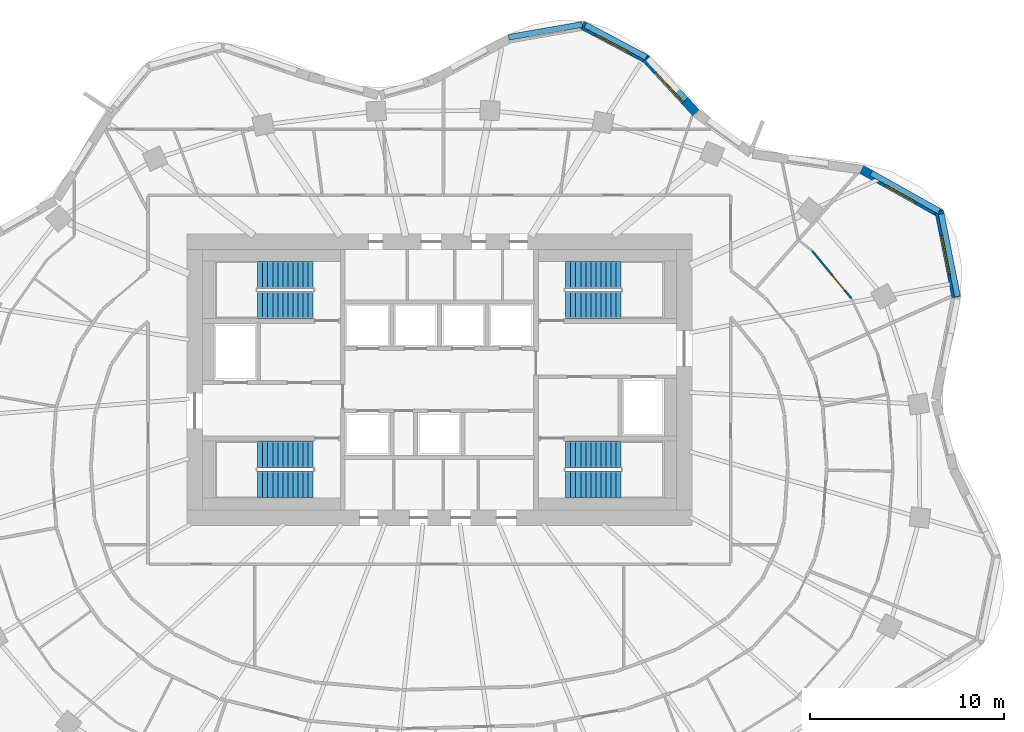
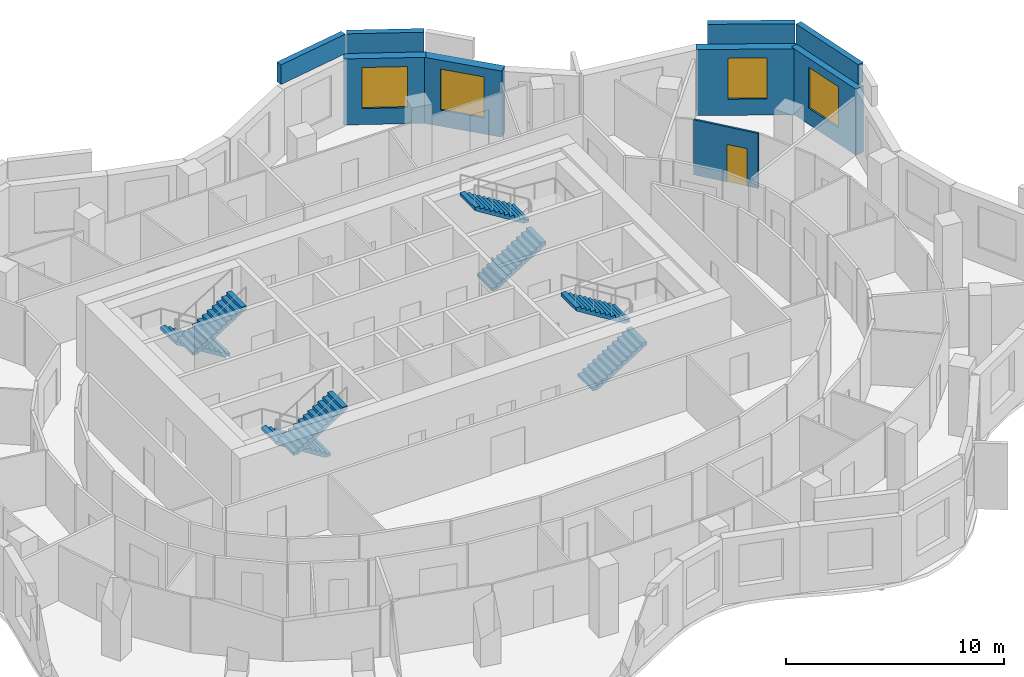
# One storey, part 10 of 11: 9 walls, 8 stair flights, 4 windows, 1 door, 5 openings, 4 elements without a shape of their own.
"""IFC4 building model written with IfcOpenShell, lengths in metres."""

from ifc_helpers import new_model, si_unit, direction, frame, frame_2d, origin, place, context, subcontext, project, spatial, polyline, rectangle, outline, extrude, material, layer, layer_set, type_object, element, fill, aggregate, save


model = new_model("IFC4")

# Units and contexts
model_context = context("Model", 3, precision=1e-05, world=origin(), true_north=direction((0.0, 1.0)))
body_context = subcontext(model_context, "Body", "Model", "MODEL_VIEW")
ifc_project = project(units=[si_unit("LENGTHUNIT", "METRE"), si_unit("AREAUNIT", "SQUARE_METRE"), si_unit("VOLUMEUNIT", "CUBIC_METRE"), si_unit("PLANEANGLEUNIT", "RADIAN"), si_unit("MASSUNIT", "GRAM", prefix="KILO")], contexts=[model_context])

# Site, building, storey
site_placement = place(None, origin())
site = spatial("IfcSite", under=ifc_project, at=site_placement, CompositionType="ELEMENT")
building_placement = place(site_placement, origin())
building = spatial("IfcBuilding", under=site, at=building_placement, Name="Rubra Terraces Tower", CompositionType="ELEMENT")
storey_placement = place(building_placement, frame((0.0, 0.0, 181.800048828125)))
storey = spatial("IfcBuildingStorey", under=building, at=storey_placement, Name="L44", CompositionType="ELEMENT", Elevation=181.800048828125)

# Wall, opening, window
ifc_material_1 = material(Name="Brick masonry red-brown", Category="masonry")
ifc_layer_1 = layer(ifc_material_1, 0.449951171875)
ifc_layer_set_1 = layer_set([ifc_layer_1], Name="Brick masonry red-brown")
wall_type_1 = type_object("IfcWallType", Name="Brick facade wall 450", PredefinedType="SOLIDWALL", material=ifc_layer_set_1)
wall_1_placement = place(storey_placement, frame((26.609619140625, 8.747802734375, 0.0), z_axis=(0.0, 0.0, 1.0), x_axis=(-0.193923166402, 0.981016720312, 0.0)))
wall_1 = element("IfcWall", 1, at=wall_1_placement, inside=storey, type_object=wall_type_1, Name="Facade wall L44 bay 3", PredefinedType="SOLIDWALL", context=body_context, shape_type="SweptSolid", body=[
    extrude(rectangle(XDim=4.518310546875, YDim=0.449951171875, at=frame_2d((2.25927734375, 0.0))), origin(), (0.0, 0.0, 1.0), 3.699951171875),
])
opening_1_placement = place(wall_1_placement, frame((1.209228515625, 0.0, 0.89990234375)))
opening_1 = element("IfcOpeningElement", 2, at=opening_1_placement, cuts=wall_1, Name="Opening W1B", PredefinedType="OPENING", context=body_context, shape_type="SweptSolid", body=[
    extrude(rectangle(XDim=2.10009765625, YDim=2.300048828125, at=frame_2d((1.050048828125, 1.14990234375))), frame((0.0, 0.23486328125, 0.0), z_axis=(0.0, -1.0, 0.0), x_axis=(1.0, 0.0, 0.0)), (0.0, 0.0, 1.0), 0.469970703125),
])
ifc_material_2 = material(Name="Clear glass in aluminium frame", Category="aluminium")
window_type_1 = type_object("IfcWindowType", Name="Fixed deep-set window tall storey 2100 x 2300", PartitioningType="SINGLE_PANEL", PredefinedType="WINDOW", material=ifc_material_2)
window_1_placement = place(opening_1_placement, origin())
window_1 = element("IfcWindow", 3, at=window_1_placement, inside=storey, type_object=window_type_1, Name="Window L44 bay 3", OverallHeight=2.300048828125, OverallWidth=2.10009765625, PartitioningType="SINGLE_PANEL", PredefinedType="WINDOW", context=body_context, shape_type="SweptSolid", body=[
    extrude(rectangle(XDim=2.10009765625, YDim=2.300048828125, at=frame_2d((1.050048828125, 1.14990234375))), frame((0.0, 0.135009765625, 0.0), z_axis=(0.0, -1.0, 0.0), x_axis=(1.0, 0.0, 0.0)), (0.0, 0.0, 1.0), 0.06005859375),
])
fill(opening_1, window_1)

wall_2_placement = place(storey_placement, frame((25.843994140625, 13.027587890625, 0.0), z_axis=(0.0, 0.0, 1.0), x_axis=(-0.872346398261, 0.488888291373, 0.0)))
wall_2 = element("IfcWall", 4, at=wall_2_placement, inside=storey, type_object=wall_type_1, Name="Facade wall L44 bay 4", PredefinedType="SOLIDWALL", context=body_context, shape_type="SweptSolid", body=[
    extrude(rectangle(XDim=4.696044921875, YDim=0.449951171875, at=frame_2d((2.34814453125, 0.0))), origin(), (0.0, 0.0, 1.0), 3.699951171875),
])
opening_2_placement = place(wall_2_placement, frame((1.447998046875, 0.0, 0.89990234375)))
opening_2 = element("IfcOpeningElement", 5, at=opening_2_placement, cuts=wall_2, Name="Opening W6B", PredefinedType="OPENING", context=body_context, shape_type="SweptSolid", body=[
    extrude(rectangle(XDim=1.800048828125, YDim=2.300048828125, at=frame_2d((0.89990234375, 1.14990234375))), frame((0.0, 0.23486328125, 0.0), z_axis=(0.0, -1.0, 0.0), x_axis=(1.0, 0.0, 0.0)), (0.0, 0.0, 1.0), 0.469970703125),
])
window_type_2 = type_object("IfcWindowType", Name="Fixed deep-set window at wind fin tall storey 1800 x 2300", PartitioningType="SINGLE_PANEL", PredefinedType="WINDOW", material=ifc_material_2)
window_2_placement = place(opening_2_placement, origin())
window_2 = element("IfcWindow", 6, at=window_2_placement, inside=storey, type_object=window_type_2, Name="Window L44 bay 4", OverallHeight=2.300048828125, OverallWidth=1.800048828125, PartitioningType="SINGLE_PANEL", PredefinedType="WINDOW", context=body_context, shape_type="SweptSolid", body=[
    extrude(rectangle(XDim=1.800048828125, YDim=2.300048828125, at=frame_2d((0.89990234375, 1.14990234375))), frame((0.0, 0.135009765625, 0.0), z_axis=(0.0, -1.0, 0.0), x_axis=(1.0, 0.0, 0.0)), (0.0, 0.0, 1.0), 0.06005859375),
])
fill(opening_2, window_2)

wall_3_placement = place(storey_placement, frame((13.20947265625, 18.242919921875, 0.0), z_axis=(0.0, 0.0, 1.0), x_axis=(-0.677612152497, 0.735419452278, 0.0)))
wall_3 = element("IfcWall", 7, at=wall_3_placement, inside=storey, type_object=wall_type_1, Name="Facade wall L44 bay 7", PredefinedType="SOLIDWALL", context=body_context, shape_type="SweptSolid", body=[
    extrude(rectangle(XDim=3.796875, YDim=0.449951171875, at=frame_2d((1.8984375, 0.0))), origin(), (0.0, 0.0, 1.0), 3.699951171875),
])
opening_3_placement = place(wall_3_placement, frame((0.848388671875, 0.0, 0.89990234375)))
opening_3 = element("IfcOpeningElement", 8, at=opening_3_placement, cuts=wall_3, Name="Opening W1B", PredefinedType="OPENING", context=body_context, shape_type="SweptSolid", body=[
    extrude(rectangle(XDim=2.10009765625, YDim=2.300048828125, at=frame_2d((1.050048828125, 1.14990234375))), frame((0.0, 0.23486328125, 0.0), z_axis=(0.0, -1.0, 0.0), x_axis=(1.0, 0.0, 0.0)), (0.0, 0.0, 1.0), 0.469970703125),
])
window_3_placement = place(opening_3_placement, origin())
window_3 = element("IfcWindow", 9, at=window_3_placement, inside=storey, type_object=window_type_1, Name="Window L44 bay 7", OverallHeight=2.300048828125, OverallWidth=2.10009765625, PartitioningType="SINGLE_PANEL", PredefinedType="WINDOW", context=body_context, shape_type="SweptSolid", body=[
    extrude(rectangle(XDim=2.10009765625, YDim=2.300048828125, at=frame_2d((1.050048828125, 1.14990234375))), frame((0.0, 0.135009765625, 0.0), z_axis=(0.0, -1.0, 0.0), x_axis=(1.0, 0.0, 0.0)), (0.0, 0.0, 1.0), 0.06005859375),
])
fill(opening_3, window_3)

wall_4_placement = place(storey_placement, frame((10.692626953125, 20.9931640625, 0.0), z_axis=(0.0, 0.0, 1.0), x_axis=(-0.883817790726, 0.46783128668, 0.0)))
wall_4 = element("IfcWall", 10, at=wall_4_placement, inside=storey, type_object=wall_type_1, Name="Facade wall L44 bay 8", PredefinedType="SOLIDWALL", context=body_context, shape_type="SweptSolid", body=[
    extrude(rectangle(XDim=3.776611328125, YDim=0.449951171875, at=frame_2d((1.88818359375, 0.0))), origin(), (0.0, 0.0, 1.0), 3.699951171875),
])
opening_4_placement = place(wall_4_placement, frame((0.83837890625, 0.0, 0.89990234375)))
opening_4 = element("IfcOpeningElement", 11, at=opening_4_placement, cuts=wall_4, Name="Opening W1B", PredefinedType="OPENING", context=body_context, shape_type="SweptSolid", body=[
    extrude(rectangle(XDim=2.10009765625, YDim=2.300048828125, at=frame_2d((1.050048828125, 1.14990234375))), frame((0.0, 0.23486328125, 0.0), z_axis=(0.0, -1.0, 0.0), x_axis=(1.0, 0.0, 0.0)), (0.0, 0.0, 1.0), 0.469970703125),
])
window_4_placement = place(opening_4_placement, origin())
window_4 = element("IfcWindow", 12, at=window_4_placement, inside=storey, type_object=window_type_1, Name="Window L44 bay 8", OverallHeight=2.300048828125, OverallWidth=2.10009765625, PartitioningType="SINGLE_PANEL", PredefinedType="WINDOW", context=body_context, shape_type="SweptSolid", body=[
    extrude(rectangle(XDim=2.10009765625, YDim=2.300048828125, at=frame_2d((1.050048828125, 1.14990234375))), frame((0.0, 0.135009765625, 0.0), z_axis=(0.0, -1.0, 0.0), x_axis=(1.0, 0.0, 0.0)), (0.0, 0.0, 1.0), 0.06005859375),
])
fill(opening_4, window_4)

# Walls
ifc_layer_2 = layer(ifc_material_1, 0.300048828125)
ifc_layer_set_2 = layer_set([ifc_layer_2], Name="Brick masonry red-brown")
wall_type_2 = type_object("IfcWallType", Name="Brick parapet 300", PredefinedType="PARAPET", material=ifc_layer_set_2)
wall_5_placement = place(storey_placement, frame((26.6796875, 8.7802734375, 3.89990234375), z_axis=(0.0, 0.0, 1.0), x_axis=(-0.193937094138, 0.981013967035, 0.0)))
element("IfcWall", 13, at=wall_5_placement, inside=storey, type_object=wall_type_2, Name="Parapet L44 bay 3", PredefinedType="PARAPET", context=body_context, shape_type="SweptSolid", body=[
    extrude(rectangle(XDim=4.331787109375, YDim=0.300048828125, at=frame_2d((2.166015625, 0.0))), origin(), (0.0, 0.0, 1.0), 1.10009765625),
])
wall_6_placement = place(storey_placement, frame((25.733642578125, 13.175537109375, 3.89990234375), z_axis=(0.0, 0.0, 1.0), x_axis=(-0.872347343965, 0.488886603905, 0.0)))
element("IfcWall", 14, at=wall_6_placement, inside=storey, type_object=wall_type_2, Name="Parapet L44 bay 4", PredefinedType="PARAPET", context=body_context, shape_type="SweptSolid", body=[
    extrude(rectangle(XDim=4.015625, YDim=0.300048828125, at=frame_2d((2.0078125, 0.0))), origin(), (0.0, 0.0, 1.0), 1.10009765625),
])
wall_7_placement = place(storey_placement, frame((10.656005859375, 21.097412109375, 3.89990234375), z_axis=(0.0, 0.0, 1.0), x_axis=(-0.883797916666, 0.467868830439, 0.0)))
element("IfcWall", 15, at=wall_7_placement, inside=storey, type_object=wall_type_2, Name="Parapet L44 bay 8", PredefinedType="PARAPET", context=body_context, shape_type="SweptSolid", body=[
    extrude(rectangle(XDim=3.56298828125, YDim=0.300048828125, at=frame_2d((1.781494140625, 0.0))), origin(), (0.0, 0.0, 1.0), 1.10009765625),
])
wall_8_placement = place(storey_placement, frame((7.35498046875, 22.78857421875, 3.89990234375), z_axis=(0.0, 0.0, 1.0), x_axis=(-0.985201040548, -0.171402770404, 0.0)))
element("IfcWall", 16, at=wall_8_placement, inside=storey, type_object=wall_type_2, Name="Parapet L44 bay 9", PredefinedType="PARAPET", context=body_context, shape_type="SweptSolid", body=[
    extrude(rectangle(XDim=3.84716796875, YDim=0.300048828125, at=frame_2d((1.923583984375, 0.0))), origin(), (0.0, 0.0, 1.0), 1.10009765625),
])

# Wall, opening, door
ifc_material_3 = material(Name="Plasterboard on steel stud", Category="steel")
ifc_layer_3 = layer(ifc_material_3, 0.10009765625)
ifc_layer_set_3 = layer_set([ifc_layer_3], Name="Plasterboard on steel stud")
wall_type_3 = type_object("IfcWallType", Name="ROOM PARTITION 100", PredefinedType="PARTITIONING", material=ifc_layer_set_3)
wall_9_placement = place(storey_placement, frame((19.20556640625, 11.12060546875, 0.0), z_axis=(0.0, 0.0, 1.0), x_axis=(0.636597206989, -0.771196470462, 0.0)))
wall_9 = element("IfcWall", 17, at=wall_9_placement, inside=storey, type_object=wall_type_3, Name="PARTITION", PredefinedType="PARTITIONING", context=body_context, shape_type="SweptSolid", body=[
    extrude(rectangle(XDim=3.15234375, YDim=0.10009765625, at=frame_2d((1.576171875, 0.0))), origin(), (0.0, 0.0, 1.0), 3.083984375),
])
opening_5_placement = place(wall_9_placement, frame((1.618896484375, 0.0, 0.0)))
opening_5 = element("IfcOpeningElement", 18, at=opening_5_placement, cuts=wall_9, Name="Opening 44-126", PredefinedType="OPENING", context=body_context, shape_type="SweptSolid", body=[
    extrude(rectangle(XDim=1.0, YDim=2.10009765625, at=frame_2d((0.5, 1.050048828125))), frame((0.0, 0.06005859375, 0.0), z_axis=(0.0, -1.0, 0.0), x_axis=(1.0, 0.0, 0.0)), (0.0, 0.0, 1.0), 0.1201171875),
])
ifc_material_4 = material(Name="Painted timber door leaf", Category="wood")
door_type = type_object("IfcDoorType", Name="ROOM DOOR 1000 X 2100", OperationType="SINGLE_SWING_LEFT", PredefinedType="DOOR", material=ifc_material_4)
door_placement = place(opening_5_placement, origin())
door = element("IfcDoor", 19, at=door_placement, inside=storey, type_object=door_type, Name="DOOR 44-126", OperationType="SINGLE_SWING_LEFT", OverallHeight=2.10009765625, OverallWidth=1.0, PredefinedType="DOOR", context=body_context, shape_type="SweptSolid", body=[
    extrude(rectangle(XDim=1.0, YDim=2.10009765625, at=frame_2d((0.5, 1.050048828125))), frame((0.0, 0.02490234375, 0.0), z_axis=(0.0, -1.0, 0.0), x_axis=(1.0, 0.0, 0.0)), (0.0, 0.0, 1.0), 0.050048828125),
])
fill(opening_5, door)

# Stair, stair flights
ifc_material_5 = material(Name="Concrete C40", Category="concrete")
stair_type = type_object("IfcStairType", Name="Core stair 1400", PredefinedType="HALF_TURN_STAIR", material=ifc_material_5)
stair_1_placement = place(storey_placement, origin())
stair_1 = element("IfcStair", 20, at=stair_1_placement, inside=storey, type_object=stair_type, Name="L44 Exit stair S1", PredefinedType="HALF_TURN_STAIR")
stair_flight_type = type_object("IfcStairFlightType", Name="Core stair flight 1400", PredefinedType="STRAIGHT", material=ifc_material_5)
stair_flight_1_placement = place(storey_placement, frame((-6.5, 0.64990234375, 0.0), z_axis=(0.0, 0.0, 1.0), x_axis=(-1.0, 0.0, 0.0)))
stair_flight_1 = element("IfcStairFlight", 21, at=stair_flight_1_placement, type_object=stair_flight_type, Name="S1 flight 1", NumberOfRisers=12, NumberOfTreads=11, PredefinedType="STRAIGHT", RiserHeight=0.1625, TreadLength=0.26, context=body_context, shape_type="SweptSolid", body=[
    extrude(outline(polyline([(0.0, 0.0), (0.0, 0.16259765625), (0.260009765625, 0.16259765625), (0.260009765625, 0.324951171875), (0.52001953125, 0.324951171875), (0.52001953125, 0.487548828125), (0.780029296875, 0.487548828125), (0.780029296875, 0.64990234375), (1.0400390625, 0.64990234375), (1.0400390625, 0.8125), (1.300048828125, 0.8125), (1.300048828125, 0.97509765625), (1.56005859375, 0.97509765625), (1.56005859375, 1.137451171875), (1.820068359375, 1.137451171875), (1.820068359375, 1.300048828125), (2.080078125, 1.300048828125), (2.080078125, 1.46240234375), (2.340087890625, 1.46240234375), (2.340087890625, 1.625), (2.60009765625, 1.625), (2.60009765625, 1.78759765625), (2.860107421875, 1.78759765625), (2.860107421875, 1.949951171875), (2.860107421875, 1.61083984375), (0.28271484375, 0.0), (0.0, 0.0)])), frame((0.0, 0.699951171875, 0.0), z_axis=(0.0, -1.0, 0.0), x_axis=(1.0, 0.0, 0.0)), (0.0, 0.0, 1.0), 1.39990234375),
])
stair_flight_2_placement = place(storey_placement, frame((-9.360107421875, -0.89990234375, 1.949951171875), z_axis=(0.0, 0.0, 1.0), x_axis=(1.0, 0.0, 0.0)))
stair_flight_2 = element("IfcStairFlight", 22, at=stair_flight_2_placement, type_object=stair_flight_type, Name="S1 flight 2", NumberOfRisers=12, NumberOfTreads=11, PredefinedType="STRAIGHT", RiserHeight=0.1625, TreadLength=0.26, context=body_context, shape_type="SweptSolid", body=[
    extrude(outline(polyline([(0.0, 0.0), (0.0, 0.16259765625), (0.260009765625, 0.16259765625), (0.260009765625, 0.324951171875), (0.52001953125, 0.324951171875), (0.52001953125, 0.487548828125), (0.780029296875, 0.487548828125), (0.780029296875, 0.64990234375), (1.0400390625, 0.64990234375), (1.0400390625, 0.8125), (1.300048828125, 0.8125), (1.300048828125, 0.97509765625), (1.56005859375, 0.97509765625), (1.56005859375, 1.137451171875), (1.820068359375, 1.137451171875), (1.820068359375, 1.300048828125), (2.080078125, 1.300048828125), (2.080078125, 1.46240234375), (2.340087890625, 1.46240234375), (2.340087890625, 1.625), (2.60009765625, 1.625), (2.60009765625, 1.78759765625), (2.860107421875, 1.78759765625), (2.860107421875, 1.949951171875), (2.860107421875, 1.61083984375), (0.28271484375, 0.0), (0.0, 0.0)])), frame((0.0, 0.699951171875, 0.0), z_axis=(0.0, -1.0, 0.0), x_axis=(1.0, 0.0, 0.0)), (0.0, 0.0, 1.0), 1.39990234375),
])
aggregate(stair_1, [stair_flight_1, stair_flight_2])

stair_2_placement = place(storey_placement, origin())
stair_2 = element("IfcStair", 23, at=stair_2_placement, inside=storey, type_object=stair_type, Name="L44 Exit stair S2", PredefinedType="HALF_TURN_STAIR")
stair_flight_3_placement = place(storey_placement, frame((-6.5, 9.89990234375, 0.0), z_axis=(0.0, 0.0, 1.0), x_axis=(-1.0, 0.0, 0.0)))
stair_flight_3 = element("IfcStairFlight", 24, at=stair_flight_3_placement, type_object=stair_flight_type, Name="S2 flight 1", NumberOfRisers=12, NumberOfTreads=11, PredefinedType="STRAIGHT", RiserHeight=0.1625, TreadLength=0.26, context=body_context, shape_type="SweptSolid", body=[
    extrude(outline(polyline([(0.0, 0.0), (0.0, 0.16259765625), (0.260009765625, 0.16259765625), (0.260009765625, 0.324951171875), (0.52001953125, 0.324951171875), (0.52001953125, 0.487548828125), (0.780029296875, 0.487548828125), (0.780029296875, 0.64990234375), (1.0400390625, 0.64990234375), (1.0400390625, 0.8125), (1.300048828125, 0.8125), (1.300048828125, 0.97509765625), (1.56005859375, 0.97509765625), (1.56005859375, 1.137451171875), (1.820068359375, 1.137451171875), (1.820068359375, 1.300048828125), (2.080078125, 1.300048828125), (2.080078125, 1.46240234375), (2.340087890625, 1.46240234375), (2.340087890625, 1.625), (2.60009765625, 1.625), (2.60009765625, 1.78759765625), (2.860107421875, 1.78759765625), (2.860107421875, 1.949951171875), (2.860107421875, 1.61083984375), (0.28271484375, 0.0), (0.0, 0.0)])), frame((0.0, 0.699951171875, 0.0), z_axis=(0.0, -1.0, 0.0), x_axis=(1.0, 0.0, 0.0)), (0.0, 0.0, 1.0), 1.39990234375),
])
stair_flight_4_placement = place(storey_placement, frame((-9.360107421875, 8.35009765625, 1.949951171875), z_axis=(0.0, 0.0, 1.0), x_axis=(1.0, 0.0, 0.0)))
stair_flight_4 = element("IfcStairFlight", 25, at=stair_flight_4_placement, type_object=stair_flight_type, Name="S2 flight 2", NumberOfRisers=12, NumberOfTreads=11, PredefinedType="STRAIGHT", RiserHeight=0.1625, TreadLength=0.26, context=body_context, shape_type="SweptSolid", body=[
    extrude(outline(polyline([(0.0, 0.0), (0.0, 0.16259765625), (0.260009765625, 0.16259765625), (0.260009765625, 0.324951171875), (0.52001953125, 0.324951171875), (0.52001953125, 0.487548828125), (0.780029296875, 0.487548828125), (0.780029296875, 0.64990234375), (1.0400390625, 0.64990234375), (1.0400390625, 0.8125), (1.300048828125, 0.8125), (1.300048828125, 0.97509765625), (1.56005859375, 0.97509765625), (1.56005859375, 1.137451171875), (1.820068359375, 1.137451171875), (1.820068359375, 1.300048828125), (2.080078125, 1.300048828125), (2.080078125, 1.46240234375), (2.340087890625, 1.46240234375), (2.340087890625, 1.625), (2.60009765625, 1.625), (2.60009765625, 1.78759765625), (2.860107421875, 1.78759765625), (2.860107421875, 1.949951171875), (2.860107421875, 1.61083984375), (0.28271484375, 0.0), (0.0, 0.0)])), frame((0.0, 0.699951171875, 0.0), z_axis=(0.0, -1.0, 0.0), x_axis=(1.0, 0.0, 0.0)), (0.0, 0.0, 1.0), 1.39990234375),
])
aggregate(stair_2, [stair_flight_3, stair_flight_4])

stair_3_placement = place(storey_placement, origin())
stair_3 = element("IfcStair", 26, at=stair_3_placement, inside=storey, type_object=stair_type, Name="L44 Exit stair S3", PredefinedType="HALF_TURN_STAIR")
stair_flight_5_placement = place(storey_placement, frame((6.5, 8.35009765625, 0.0), z_axis=(0.0, 0.0, 1.0), x_axis=(1.0, 0.0, 0.0)))
stair_flight_5 = element("IfcStairFlight", 27, at=stair_flight_5_placement, type_object=stair_flight_type, Name="S3 flight 1", NumberOfRisers=12, NumberOfTreads=11, PredefinedType="STRAIGHT", RiserHeight=0.1625, TreadLength=0.26, context=body_context, shape_type="SweptSolid", body=[
    extrude(outline(polyline([(0.0, 0.0), (0.0, 0.16259765625), (0.260009765625, 0.16259765625), (0.260009765625, 0.324951171875), (0.52001953125, 0.324951171875), (0.52001953125, 0.487548828125), (0.780029296875, 0.487548828125), (0.780029296875, 0.64990234375), (1.0400390625, 0.64990234375), (1.0400390625, 0.8125), (1.300048828125, 0.8125), (1.300048828125, 0.97509765625), (1.56005859375, 0.97509765625), (1.56005859375, 1.137451171875), (1.820068359375, 1.137451171875), (1.820068359375, 1.300048828125), (2.080078125, 1.300048828125), (2.080078125, 1.46240234375), (2.340087890625, 1.46240234375), (2.340087890625, 1.625), (2.60009765625, 1.625), (2.60009765625, 1.78759765625), (2.860107421875, 1.78759765625), (2.860107421875, 1.949951171875), (2.860107421875, 1.61083984375), (0.28271484375, 0.0), (0.0, 0.0)])), frame((0.0, 0.699951171875, 0.0), z_axis=(0.0, -1.0, 0.0), x_axis=(1.0, 0.0, 0.0)), (0.0, 0.0, 1.0), 1.39990234375),
])
stair_flight_6_placement = place(storey_placement, frame((9.360107421875, 9.89990234375, 1.949951171875), z_axis=(0.0, 0.0, 1.0), x_axis=(-1.0, 0.0, 0.0)))
stair_flight_6 = element("IfcStairFlight", 28, at=stair_flight_6_placement, type_object=stair_flight_type, Name="S3 flight 2", NumberOfRisers=12, NumberOfTreads=11, PredefinedType="STRAIGHT", RiserHeight=0.1625, TreadLength=0.26, context=body_context, shape_type="SweptSolid", body=[
    extrude(outline(polyline([(0.0, 0.0), (0.0, 0.16259765625), (0.260009765625, 0.16259765625), (0.260009765625, 0.324951171875), (0.52001953125, 0.324951171875), (0.52001953125, 0.487548828125), (0.780029296875, 0.487548828125), (0.780029296875, 0.64990234375), (1.0400390625, 0.64990234375), (1.0400390625, 0.8125), (1.300048828125, 0.8125), (1.300048828125, 0.97509765625), (1.56005859375, 0.97509765625), (1.56005859375, 1.137451171875), (1.820068359375, 1.137451171875), (1.820068359375, 1.300048828125), (2.080078125, 1.300048828125), (2.080078125, 1.46240234375), (2.340087890625, 1.46240234375), (2.340087890625, 1.625), (2.60009765625, 1.625), (2.60009765625, 1.78759765625), (2.860107421875, 1.78759765625), (2.860107421875, 1.949951171875), (2.860107421875, 1.61083984375), (0.28271484375, 0.0), (0.0, 0.0)])), frame((0.0, 0.699951171875, 0.0), z_axis=(0.0, -1.0, 0.0), x_axis=(1.0, 0.0, 0.0)), (0.0, 0.0, 1.0), 1.39990234375),
])
aggregate(stair_3, [stair_flight_5, stair_flight_6])

stair_4_placement = place(storey_placement, origin())
stair_4 = element("IfcStair", 29, at=stair_4_placement, inside=storey, type_object=stair_type, Name="L44 Exit stair S4", PredefinedType="HALF_TURN_STAIR")
stair_flight_7_placement = place(storey_placement, frame((6.5, -0.89990234375, 0.0), z_axis=(0.0, 0.0, 1.0), x_axis=(1.0, 0.0, 0.0)))
stair_flight_7 = element("IfcStairFlight", 30, at=stair_flight_7_placement, type_object=stair_flight_type, Name="S4 flight 1", NumberOfRisers=12, NumberOfTreads=11, PredefinedType="STRAIGHT", RiserHeight=0.1625, TreadLength=0.26, context=body_context, shape_type="SweptSolid", body=[
    extrude(outline(polyline([(0.0, 0.0), (0.0, 0.16259765625), (0.260009765625, 0.16259765625), (0.260009765625, 0.324951171875), (0.52001953125, 0.324951171875), (0.52001953125, 0.487548828125), (0.780029296875, 0.487548828125), (0.780029296875, 0.64990234375), (1.0400390625, 0.64990234375), (1.0400390625, 0.8125), (1.300048828125, 0.8125), (1.300048828125, 0.97509765625), (1.56005859375, 0.97509765625), (1.56005859375, 1.137451171875), (1.820068359375, 1.137451171875), (1.820068359375, 1.300048828125), (2.080078125, 1.300048828125), (2.080078125, 1.46240234375), (2.340087890625, 1.46240234375), (2.340087890625, 1.625), (2.60009765625, 1.625), (2.60009765625, 1.78759765625), (2.860107421875, 1.78759765625), (2.860107421875, 1.949951171875), (2.860107421875, 1.61083984375), (0.28271484375, 0.0), (0.0, 0.0)])), frame((0.0, 0.699951171875, 0.0), z_axis=(0.0, -1.0, 0.0), x_axis=(1.0, 0.0, 0.0)), (0.0, 0.0, 1.0), 1.39990234375),
])
stair_flight_8_placement = place(storey_placement, frame((9.360107421875, 0.64990234375, 1.949951171875), z_axis=(0.0, 0.0, 1.0), x_axis=(-1.0, 0.0, 0.0)))
stair_flight_8 = element("IfcStairFlight", 31, at=stair_flight_8_placement, type_object=stair_flight_type, Name="S4 flight 2", NumberOfRisers=12, NumberOfTreads=11, PredefinedType="STRAIGHT", RiserHeight=0.1625, TreadLength=0.26, context=body_context, shape_type="SweptSolid", body=[
    extrude(outline(polyline([(0.0, 0.0), (0.0, 0.16259765625), (0.260009765625, 0.16259765625), (0.260009765625, 0.324951171875), (0.52001953125, 0.324951171875), (0.52001953125, 0.487548828125), (0.780029296875, 0.487548828125), (0.780029296875, 0.64990234375), (1.0400390625, 0.64990234375), (1.0400390625, 0.8125), (1.300048828125, 0.8125), (1.300048828125, 0.97509765625), (1.56005859375, 0.97509765625), (1.56005859375, 1.137451171875), (1.820068359375, 1.137451171875), (1.820068359375, 1.300048828125), (2.080078125, 1.300048828125), (2.080078125, 1.46240234375), (2.340087890625, 1.46240234375), (2.340087890625, 1.625), (2.60009765625, 1.625), (2.60009765625, 1.78759765625), (2.860107421875, 1.78759765625), (2.860107421875, 1.949951171875), (2.860107421875, 1.61083984375), (0.28271484375, 0.0), (0.0, 0.0)])), frame((0.0, 0.699951171875, 0.0), z_axis=(0.0, -1.0, 0.0), x_axis=(1.0, 0.0, 0.0)), (0.0, 0.0, 1.0), 1.39990234375),
])
aggregate(stair_4, [stair_flight_7, stair_flight_8])

save(model, "model.ifc")
